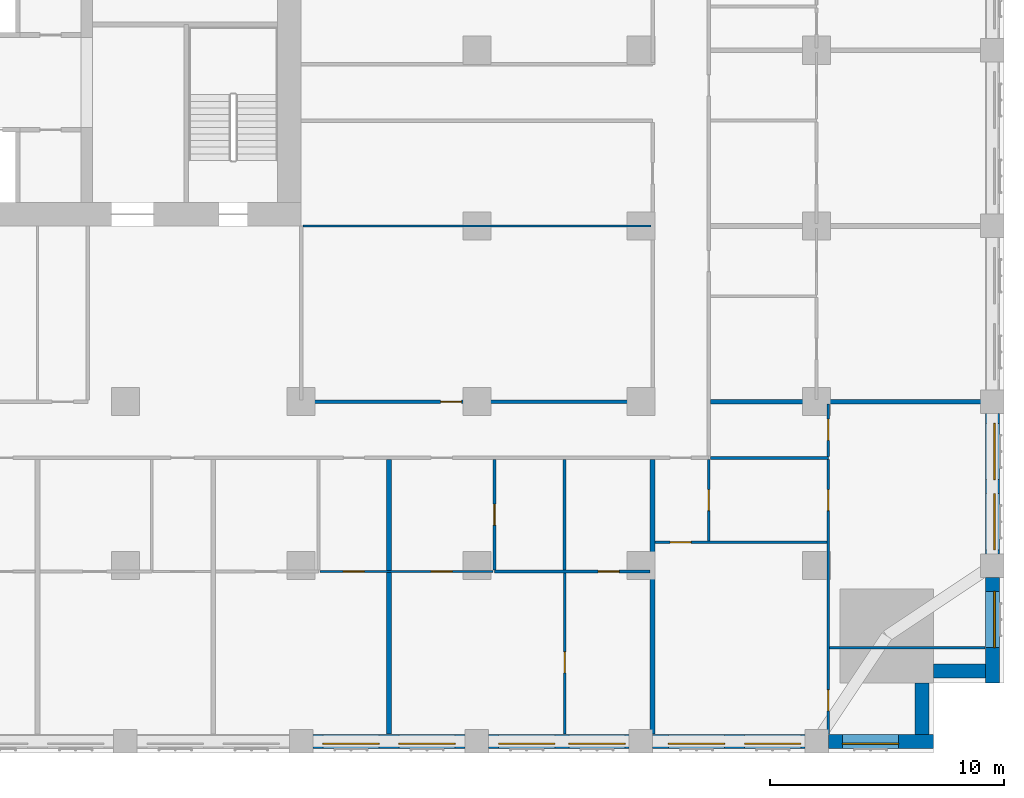
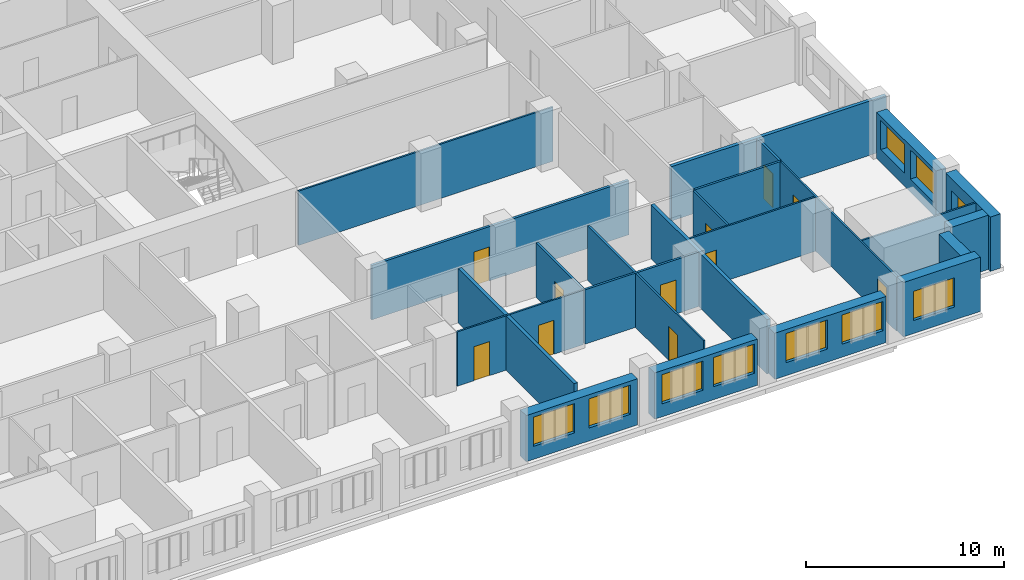
# One storey, part 6 of 14: 24 walls, 11 doors, 10 windows, 21 openings.
"""IFC4 building model written with IfcOpenShell, lengths in metres."""

from ifc_helpers import new_model, si_unit, direction, frame, frame_2d, origin, place, context, subcontext, project, spatial, rectangle, extrude, material, layer, layer_set, type_object, element, fill, save


model = new_model("IFC4")

# Units and contexts
model_context = context("Model", 3, precision=1e-05, world=origin(), true_north=direction((0.0, 1.0)))
body_context = subcontext(model_context, "Body", "Model", "MODEL_VIEW")
ifc_project = project(units=[si_unit("LENGTHUNIT", "METRE"), si_unit("AREAUNIT", "SQUARE_METRE"), si_unit("VOLUMEUNIT", "CUBIC_METRE"), si_unit("PLANEANGLEUNIT", "RADIAN"), si_unit("MASSUNIT", "GRAM", prefix="KILO")], contexts=[model_context])

# Site, building, storey
site_placement = place(None, origin())
site = spatial("IfcSite", under=ifc_project, at=site_placement, CompositionType="ELEMENT")
building_placement = place(site_placement, origin())
building = spatial("IfcBuilding", under=site, at=building_placement, Name="Tamorin Gate", CompositionType="ELEMENT")
storey_placement = place(building_placement, frame((0.0, 0.0, 52.0)))
storey = spatial("IfcBuildingStorey", under=building, at=storey_placement, Name="L11", CompositionType="ELEMENT", Elevation=52.0)

# Wall, openings, windows
ifc_material_1 = material(Name="Precast concrete C40/50", Category="concrete")
ifc_layer_1 = layer(ifc_material_1, 0.60009765625)
ifc_layer_set_1 = layer_set([ifc_layer_1], Name="Precast concrete C40/50")
wall_type_1 = type_object("IfcWallType", Name="Board-marked concrete facade panel 600", PredefinedType="SOLIDWALL", material=ifc_layer_set_1)
wall_1_placement = place(storey_placement, frame((60.5, 38.0, 0.0), z_axis=(0.0, 0.0, 1.0), x_axis=(1.0, 0.0, 0.0)))
wall_1 = element("IfcWall", 1, at=wall_1_placement, inside=storey, type_object=wall_type_1, Name="Facade panel", PredefinedType="SOLIDWALL", context=body_context, shape_type="SweptSolid", body=[
    extrude(rectangle(XDim=6.5, YDim=0.60009765625, at=frame_2d((3.25, 0.0))), origin(), (0.0, 0.0, 1.0), 2.85009765625),
])
opening_1_placement = place(wall_1_placement, frame((0.425048828125, 0.0, 0.800048828125)))
opening_1 = element("IfcOpeningElement", 2, at=opening_1_placement, cuts=wall_1, Name="Opening WN1", PredefinedType="OPENING", context=body_context, shape_type="SweptSolid", body=[
    extrude(rectangle(XDim=2.39990234375, YDim=1.800048828125, at=frame_2d((1.199951171875, 0.89990234375))), frame((0.0, 0.31005859375, 0.0), z_axis=(0.0, -1.0, 0.0), x_axis=(1.0, 0.0, 0.0)), (0.0, 0.0, 1.0), 0.6201171875),
])
opening_2_placement = place(wall_1_placement, frame((3.675048828125, 0.0, 0.800048828125)))
opening_2 = element("IfcOpeningElement", 3, at=opening_2_placement, cuts=wall_1, Name="Opening WN1", PredefinedType="OPENING", context=body_context, shape_type="SweptSolid", body=[
    extrude(rectangle(XDim=2.39990234375, YDim=1.800048828125, at=frame_2d((1.199951171875, 0.89990234375))), frame((0.0, 0.31005859375, 0.0), z_axis=(0.0, -1.0, 0.0), x_axis=(1.0, 0.0, 0.0)), (0.0, 0.0, 1.0), 0.6201171875),
])
ifc_material_2 = material(Name="Clear glass in aluminium frame", Category="aluminium")
window_type = type_object("IfcWindowType", Name="Deep-set window 2400x1800", PartitioningType="SINGLE_PANEL", PredefinedType="WINDOW", material=ifc_material_2)
window_1_placement = place(opening_1_placement, origin())
window_1 = element("IfcWindow", 4, at=window_1_placement, inside=storey, type_object=window_type, Name="Deep-set window", OverallHeight=1.800048828125, OverallWidth=2.39990234375, PartitioningType="SINGLE_PANEL", PredefinedType="WINDOW", context=body_context, shape_type="SweptSolid", body=[
    extrude(rectangle(XDim=2.39990234375, YDim=1.800048828125, at=frame_2d((1.199951171875, 0.89990234375))), frame((0.0, -0.070068359375, 0.0), z_axis=(0.0, -1.0, 0.0), x_axis=(1.0, 0.0, 0.0)), (0.0, 0.0, 1.0), 0.06005859375),
])
fill(opening_1, window_1)
window_2_placement = place(opening_2_placement, origin())
window_2 = element("IfcWindow", 5, at=window_2_placement, inside=storey, type_object=window_type, Name="Deep-set window", OverallHeight=1.800048828125, OverallWidth=2.39990234375, PartitioningType="SINGLE_PANEL", PredefinedType="WINDOW", context=body_context, shape_type="SweptSolid", body=[
    extrude(rectangle(XDim=2.39990234375, YDim=1.800048828125, at=frame_2d((1.199951171875, 0.89990234375))), frame((0.0, -0.070068359375, 0.0), z_axis=(0.0, -1.0, 0.0), x_axis=(1.0, 0.0, 0.0)), (0.0, 0.0, 1.0), 0.06005859375),
])
fill(opening_2, window_2)

wall_2_placement = place(storey_placement, frame((68.0, 38.0, 0.0), z_axis=(0.0, 0.0, 1.0), x_axis=(1.0, 0.0, 0.0)))
wall_2 = element("IfcWall", 6, at=wall_2_placement, inside=storey, type_object=wall_type_1, Name="Facade panel", PredefinedType="SOLIDWALL", context=body_context, shape_type="SweptSolid", body=[
    extrude(rectangle(XDim=6.0, YDim=0.60009765625, at=frame_2d((3.0, 0.0))), origin(), (0.0, 0.0, 1.0), 2.85009765625),
])
opening_3_placement = place(wall_2_placement, frame((0.425048828125, 0.0, 0.800048828125)))
opening_3 = element("IfcOpeningElement", 7, at=opening_3_placement, cuts=wall_2, Name="Opening WN1", PredefinedType="OPENING", context=body_context, shape_type="SweptSolid", body=[
    extrude(rectangle(XDim=2.39990234375, YDim=1.800048828125, at=frame_2d((1.199951171875, 0.89990234375))), frame((0.0, 0.31005859375, 0.0), z_axis=(0.0, -1.0, 0.0), x_axis=(1.0, 0.0, 0.0)), (0.0, 0.0, 1.0), 0.6201171875),
])
opening_4_placement = place(wall_2_placement, frame((3.425048828125, 0.0, 0.800048828125)))
opening_4 = element("IfcOpeningElement", 8, at=opening_4_placement, cuts=wall_2, Name="Opening WN1", PredefinedType="OPENING", context=body_context, shape_type="SweptSolid", body=[
    extrude(rectangle(XDim=2.39990234375, YDim=1.800048828125, at=frame_2d((1.199951171875, 0.89990234375))), frame((0.0, 0.31005859375, 0.0), z_axis=(0.0, -1.0, 0.0), x_axis=(1.0, 0.0, 0.0)), (0.0, 0.0, 1.0), 0.6201171875),
])
window_3_placement = place(opening_3_placement, origin())
window_3 = element("IfcWindow", 9, at=window_3_placement, inside=storey, type_object=window_type, Name="Deep-set window", OverallHeight=1.800048828125, OverallWidth=2.39990234375, PartitioningType="SINGLE_PANEL", PredefinedType="WINDOW", context=body_context, shape_type="SweptSolid", body=[
    extrude(rectangle(XDim=2.39990234375, YDim=1.800048828125, at=frame_2d((1.199951171875, 0.89990234375))), frame((0.0, -0.070068359375, 0.0), z_axis=(0.0, -1.0, 0.0), x_axis=(1.0, 0.0, 0.0)), (0.0, 0.0, 1.0), 0.06005859375),
])
fill(opening_3, window_3)
window_4_placement = place(opening_4_placement, origin())
window_4 = element("IfcWindow", 10, at=window_4_placement, inside=storey, type_object=window_type, Name="Deep-set window", OverallHeight=1.800048828125, OverallWidth=2.39990234375, PartitioningType="SINGLE_PANEL", PredefinedType="WINDOW", context=body_context, shape_type="SweptSolid", body=[
    extrude(rectangle(XDim=2.39990234375, YDim=1.800048828125, at=frame_2d((1.199951171875, 0.89990234375))), frame((0.0, -0.070068359375, 0.0), z_axis=(0.0, -1.0, 0.0), x_axis=(1.0, 0.0, 0.0)), (0.0, 0.0, 1.0), 0.06005859375),
])
fill(opening_4, window_4)

wall_3_placement = place(storey_placement, frame((75.0, 38.0, 0.0), z_axis=(0.0, 0.0, 1.0), x_axis=(1.0, 0.0, 0.0)))
wall_3 = element("IfcWall", 11, at=wall_3_placement, inside=storey, type_object=wall_type_1, Name="Facade panel", PredefinedType="SOLIDWALL", context=body_context, shape_type="SweptSolid", body=[
    extrude(rectangle(XDim=6.5, YDim=0.60009765625, at=frame_2d((3.25, 0.0))), origin(), (0.0, 0.0, 1.0), 2.85009765625),
])
opening_5_placement = place(wall_3_placement, frame((0.675048828125, 0.0, 0.800048828125)))
opening_5 = element("IfcOpeningElement", 12, at=opening_5_placement, cuts=wall_3, Name="Opening WN1", PredefinedType="OPENING", context=body_context, shape_type="SweptSolid", body=[
    extrude(rectangle(XDim=2.39990234375, YDim=1.800048828125, at=frame_2d((1.199951171875, 0.89990234375))), frame((0.0, 0.31005859375, 0.0), z_axis=(0.0, -1.0, 0.0), x_axis=(1.0, 0.0, 0.0)), (0.0, 0.0, 1.0), 0.6201171875),
])
opening_6_placement = place(wall_3_placement, frame((3.925048828125, 0.0, 0.800048828125)))
opening_6 = element("IfcOpeningElement", 13, at=opening_6_placement, cuts=wall_3, Name="Opening WN1", PredefinedType="OPENING", context=body_context, shape_type="SweptSolid", body=[
    extrude(rectangle(XDim=2.39990234375, YDim=1.800048828125, at=frame_2d((1.199951171875, 0.89990234375))), frame((0.0, 0.31005859375, 0.0), z_axis=(0.0, -1.0, 0.0), x_axis=(1.0, 0.0, 0.0)), (0.0, 0.0, 1.0), 0.6201171875),
])
window_5_placement = place(opening_5_placement, origin())
window_5 = element("IfcWindow", 14, at=window_5_placement, inside=storey, type_object=window_type, Name="Deep-set window", OverallHeight=1.800048828125, OverallWidth=2.39990234375, PartitioningType="SINGLE_PANEL", PredefinedType="WINDOW", context=body_context, shape_type="SweptSolid", body=[
    extrude(rectangle(XDim=2.39990234375, YDim=1.800048828125, at=frame_2d((1.199951171875, 0.89990234375))), frame((0.0, -0.070068359375, 0.0), z_axis=(0.0, -1.0, 0.0), x_axis=(1.0, 0.0, 0.0)), (0.0, 0.0, 1.0), 0.06005859375),
])
fill(opening_5, window_5)
window_6_placement = place(opening_6_placement, origin())
window_6 = element("IfcWindow", 15, at=window_6_placement, inside=storey, type_object=window_type, Name="Deep-set window", OverallHeight=1.800048828125, OverallWidth=2.39990234375, PartitioningType="SINGLE_PANEL", PredefinedType="WINDOW", context=body_context, shape_type="SweptSolid", body=[
    extrude(rectangle(XDim=2.39990234375, YDim=1.800048828125, at=frame_2d((1.199951171875, 0.89990234375))), frame((0.0, -0.070068359375, 0.0), z_axis=(0.0, -1.0, 0.0), x_axis=(1.0, 0.0, 0.0)), (0.0, 0.0, 1.0), 0.06005859375),
])
fill(opening_6, window_6)

# Wall, opening, window
wall_4_placement = place(storey_placement, frame((82.5, 38.0, 0.0), z_axis=(0.0, 0.0, 1.0), x_axis=(1.0, 0.0, 0.0)))
wall_4 = element("IfcWall", 16, at=wall_4_placement, inside=storey, type_object=wall_type_1, Name="Facade panel", PredefinedType="SOLIDWALL", context=body_context, shape_type="SweptSolid", body=[
    extrude(rectangle(XDim=4.5, YDim=0.60009765625, at=frame_2d((2.25, 0.0))), origin(), (0.0, 0.0, 1.0), 3.35009765625),
])
opening_7_placement = place(wall_4_placement, frame((0.60009765625, 0.0, 0.800048828125)))
opening_7 = element("IfcOpeningElement", 17, at=opening_7_placement, cuts=wall_4, Name="Opening WN1", PredefinedType="OPENING", context=body_context, shape_type="SweptSolid", body=[
    extrude(rectangle(XDim=2.39990234375, YDim=1.800048828125, at=frame_2d((1.199951171875, 0.89990234375))), frame((0.0, 0.31005859375, 0.0), z_axis=(0.0, -1.0, 0.0), x_axis=(1.0, 0.0, 0.0)), (0.0, 0.0, 1.0), 0.6201171875),
])
window_7_placement = place(opening_7_placement, origin())
window_7 = element("IfcWindow", 18, at=window_7_placement, inside=storey, type_object=window_type, Name="Deep-set window", OverallHeight=1.800048828125, OverallWidth=2.39990234375, PartitioningType="SINGLE_PANEL", PredefinedType="WINDOW", context=body_context, shape_type="SweptSolid", body=[
    extrude(rectangle(XDim=2.39990234375, YDim=1.800048828125, at=frame_2d((1.199951171875, 0.89990234375))), frame((0.0, -0.070068359375, 0.0), z_axis=(0.0, -1.0, 0.0), x_axis=(1.0, 0.0, 0.0)), (0.0, 0.0, 1.0), 0.06005859375),
])
fill(opening_7, window_7)

# Walls
for number, where, z_axis, x_axis, name in (
    (19, (86.5, 38.300048828125, 0.0), (0.0, 0.0, 1.0), (0.0, 1.0, 0.0), "Facade panel"),
    (20, (87.0, 41.0, 0.0), (0.0, 0.0, 1.0), (1.0, 0.0, 0.0), "Facade panel"),
):
    element("IfcWall", number, at=place(storey_placement, frame(where, z_axis=z_axis, x_axis=x_axis)), inside=storey, type_object=wall_type_1, Name=name, PredefinedType="SOLIDWALL", context=body_context, shape_type="SweptSolid", body=[
        extrude(rectangle(XDim=2.199951171875, YDim=0.60009765625, at=frame_2d((1.10009765625, 0.0))), origin(), (0.0, 0.0, 1.0), 3.35009765625),
    ])

# Wall, opening, window
wall_5_placement = place(storey_placement, frame((89.5, 40.5, 0.0), z_axis=(0.0, 0.0, 1.0), x_axis=(0.0, 1.0, 0.0)))
wall_5 = element("IfcWall", 21, at=wall_5_placement, inside=storey, type_object=wall_type_1, Name="Facade panel", PredefinedType="SOLIDWALL", context=body_context, shape_type="SweptSolid", body=[
    extrude(rectangle(XDim=4.5, YDim=0.60009765625, at=frame_2d((2.25, 0.0))), origin(), (0.0, 0.0, 1.0), 3.35009765625),
])
opening_8_placement = place(wall_5_placement, frame((1.5, 0.0, 0.800048828125)))
opening_8 = element("IfcOpeningElement", 22, at=opening_8_placement, cuts=wall_5, Name="Opening WN1", PredefinedType="OPENING", context=body_context, shape_type="SweptSolid", body=[
    extrude(rectangle(XDim=2.39990234375, YDim=1.800048828125, at=frame_2d((1.199951171875, 0.89990234375))), frame((0.0, 0.31005859375, 0.0), z_axis=(0.0, -1.0, 0.0), x_axis=(1.0, 0.0, 0.0)), (0.0, 0.0, 1.0), 0.6201171875),
])
window_8_placement = place(opening_8_placement, origin())
window_8 = element("IfcWindow", 23, at=window_8_placement, inside=storey, type_object=window_type, Name="Deep-set window", OverallHeight=1.800048828125, OverallWidth=2.39990234375, PartitioningType="SINGLE_PANEL", PredefinedType="WINDOW", context=body_context, shape_type="SweptSolid", body=[
    extrude(rectangle(XDim=2.39990234375, YDim=1.800048828125, at=frame_2d((1.199951171875, 0.89990234375))), frame((0.0, -0.070068359375, 0.0), z_axis=(0.0, -1.0, 0.0), x_axis=(1.0, 0.0, 0.0)), (0.0, 0.0, 1.0), 0.06005859375),
])
fill(opening_8, window_8)

# Wall, openings, windows
wall_6_placement = place(storey_placement, frame((89.5, 46.0, 0.0), z_axis=(0.0, 0.0, 1.0), x_axis=(0.0, 1.0, 0.0)))
wall_6 = element("IfcWall", 24, at=wall_6_placement, inside=storey, type_object=wall_type_1, Name="Facade panel", PredefinedType="SOLIDWALL", context=body_context, shape_type="SweptSolid", body=[
    extrude(rectangle(XDim=6.0, YDim=0.60009765625, at=frame_2d((3.0, 0.0))), origin(), (0.0, 0.0, 1.0), 2.85009765625),
])
opening_9_placement = place(wall_6_placement, frame((0.175048828125, 0.0, 0.800048828125)))
opening_9 = element("IfcOpeningElement", 25, at=opening_9_placement, cuts=wall_6, Name="Opening WN1", PredefinedType="OPENING", context=body_context, shape_type="SweptSolid", body=[
    extrude(rectangle(XDim=2.39990234375, YDim=1.800048828125, at=frame_2d((1.199951171875, 0.89990234375))), frame((0.0, 0.31005859375, 0.0), z_axis=(0.0, -1.0, 0.0), x_axis=(1.0, 0.0, 0.0)), (0.0, 0.0, 1.0), 0.6201171875),
])
opening_10_placement = place(wall_6_placement, frame((3.175048828125, 0.0, 0.800048828125)))
opening_10 = element("IfcOpeningElement", 26, at=opening_10_placement, cuts=wall_6, Name="Opening WN1", PredefinedType="OPENING", context=body_context, shape_type="SweptSolid", body=[
    extrude(rectangle(XDim=2.39990234375, YDim=1.800048828125, at=frame_2d((1.199951171875, 0.89990234375))), frame((0.0, 0.31005859375, 0.0), z_axis=(0.0, -1.0, 0.0), x_axis=(1.0, 0.0, 0.0)), (0.0, 0.0, 1.0), 0.6201171875),
])
window_9_placement = place(opening_9_placement, origin())
window_9 = element("IfcWindow", 27, at=window_9_placement, inside=storey, type_object=window_type, Name="Deep-set window", OverallHeight=1.800048828125, OverallWidth=2.39990234375, PartitioningType="SINGLE_PANEL", PredefinedType="WINDOW", context=body_context, shape_type="SweptSolid", body=[
    extrude(rectangle(XDim=2.39990234375, YDim=1.800048828125, at=frame_2d((1.199951171875, 0.89990234375))), frame((0.0, -0.070068359375, 0.0), z_axis=(0.0, -1.0, 0.0), x_axis=(1.0, 0.0, 0.0)), (0.0, 0.0, 1.0), 0.06005859375),
])
fill(opening_9, window_9)
window_10_placement = place(opening_10_placement, origin())
window_10 = element("IfcWindow", 28, at=window_10_placement, inside=storey, type_object=window_type, Name="Deep-set window", OverallHeight=1.800048828125, OverallWidth=2.39990234375, PartitioningType="SINGLE_PANEL", PredefinedType="WINDOW", context=body_context, shape_type="SweptSolid", body=[
    extrude(rectangle(XDim=2.39990234375, YDim=1.800048828125, at=frame_2d((1.199951171875, 0.89990234375))), frame((0.0, -0.070068359375, 0.0), z_axis=(0.0, -1.0, 0.0), x_axis=(1.0, 0.0, 0.0)), (0.0, 0.0, 1.0), 0.06005859375),
])
fill(opening_10, window_10)

# Wall, opening, door
ifc_material_3 = material(Name="Gypsum board partition")
ifc_layer_2 = layer(ifc_material_3, 0.14990234375)
ifc_layer_set_2 = layer_set([ifc_layer_2], Name="Corridor wall 150")
wall_type_2 = type_object("IfcWallType", Name="Corridor wall 150", PredefinedType="PARTITIONING", material=ifc_layer_set_2)
wall_7_placement = place(storey_placement, frame((60.0, 52.5, 0.0), z_axis=(0.0, 0.0, 1.0), x_axis=(1.0, 0.0, 0.0)))
wall_7 = element("IfcWall", 29, at=wall_7_placement, inside=storey, type_object=wall_type_2, Name="Corridor wall 150", PredefinedType="PARTITIONING", context=body_context, shape_type="SweptSolid", body=[
    extrude(rectangle(XDim=15.0, YDim=0.14990234375, at=frame_2d((7.5, 0.0))), origin(), (0.0, 0.0, 1.0), 3.35009765625),
])
opening_11_placement = place(wall_7_placement, frame((5.949951171875, 0.0, 0.0)))
opening_11 = element("IfcOpeningElement", 30, at=opening_11_placement, cuts=wall_7, Name="Opening DH2069", PredefinedType="OPENING", context=body_context, shape_type="SweptSolid", body=[
    extrude(rectangle(XDim=0.89990234375, YDim=2.10009765625, at=frame_2d((0.449951171875, 1.050048828125))), frame((0.0, 0.0849609375, 0.0), z_axis=(0.0, -1.0, 0.0), x_axis=(1.0, 0.0, 0.0)), (0.0, 0.0, 1.0), 0.169921875),
])
ifc_material_4 = material(Name="Timber door leaf", Category="wood")
door_type_1 = type_object("IfcDoorType", Name="Door 900 x 2100 FD30S", OperationType="NOTDEFINED", PredefinedType="DOOR", material=ifc_material_4)
door_1_placement = place(opening_11_placement, origin())
door_1 = element("IfcDoor", 31, at=door_1_placement, inside=storey, type_object=door_type_1, Name="Door DH2069", OperationType="SINGLE_SWING_LEFT", OverallHeight=2.10009765625, OverallWidth=0.89990234375, PredefinedType="DOOR", context=body_context, shape_type="SweptSolid", body=[
    extrude(rectangle(XDim=0.89990234375, YDim=2.10009765625, at=frame_2d((0.449951171875, 1.050048828125))), frame((0.0, 0.02490234375, 0.0), z_axis=(0.0, -1.0, 0.0), x_axis=(1.0, 0.0, 0.0)), (0.0, 0.0, 1.0), 0.050048828125),
])
fill(opening_11, door_1)

# Walls
ifc_layer_3 = layer(ifc_material_3, 0.199951171875)
ifc_layer_set_3 = layer_set([ifc_layer_3], Name="Demising wall 200")
wall_type_3 = type_object("IfcWallType", Name="Demising wall 200", PredefinedType="PARTITIONING", material=ifc_layer_set_3)
wall_8_placement = place(storey_placement, frame((77.47509765625, 52.5, 0.0), z_axis=(0.0, 0.0, 1.0), x_axis=(1.0, 0.0, 0.0)))
element("IfcWall", 32, at=wall_8_placement, inside=storey, type_object=wall_type_3, Name="Demising wall 200", PredefinedType="PARTITIONING", context=body_context, shape_type="SweptSolid", body=[
    extrude(rectangle(XDim=12.52490234375, YDim=0.199951171875, at=frame_2d((6.262451171875, 0.0))), origin(), (0.0, 0.0, 1.0), 3.35009765625),
])
for number, where, z_axis, x_axis, name in (
    (33, (63.75, 38.31005859375, 0.0), (0.0, 0.0, 1.0), (0.0, 1.0, 0.0), "Demising wall 200"),
    (34, (75.0, 38.31005859375, 0.0), (0.0, 0.0, 1.0), (0.0, 1.0, 0.0), "Demising wall 200"),
):
    element("IfcWall", number, at=place(storey_placement, frame(where, z_axis=z_axis, x_axis=x_axis)), inside=storey, type_object=wall_type_3, Name=name, PredefinedType="PARTITIONING", context=body_context, shape_type="SweptSolid", body=[
        extrude(rectangle(XDim=11.71484375, YDim=0.199951171875, at=frame_2d((5.857421875, 0.0))), origin(), (0.0, 0.0, 1.0), 3.35009765625),
    ])
ifc_layer_4 = layer(ifc_material_3, 0.10009765625)
ifc_layer_set_4 = layer_set([ifc_layer_4], Name="Room partition 100")
wall_type_4 = type_object("IfcWallType", Name="Room partition 100", PredefinedType="PARTITIONING", material=ifc_layer_set_4)
wall_9_placement = place(storey_placement, frame((82.550048828125, 42.0, 0.0), z_axis=(0.0, 0.0, 1.0), x_axis=(1.0, 0.0, 0.0)))
element("IfcWall", 35, at=wall_9_placement, inside=storey, type_object=wall_type_4, Name="Room partition 100", PredefinedType="PARTITIONING", context=body_context, shape_type="SweptSolid", body=[
    extrude(rectangle(XDim=6.639892578125, YDim=0.10009765625, at=frame_2d((3.31982421875, 0.0))), origin(), (0.0, 0.0, 1.0), 3.35009765625),
])

# Wall, openings, doors
wall_10_placement = place(storey_placement, frame((60.8125, 45.25, 0.0), z_axis=(0.0, 0.0, 1.0), x_axis=(1.0, 0.0, 0.0)))
wall_10 = element("IfcWall", 36, at=wall_10_placement, inside=storey, type_object=wall_type_4, Name="Room partition 100", PredefinedType="PARTITIONING", context=body_context, shape_type="SweptSolid", body=[
    extrude(rectangle(XDim=7.375, YDim=0.10009765625, at=frame_2d((3.6875, 0.0))), origin(), (0.0, 0.0, 1.0), 3.35009765625),
])
opening_12_placement = place(wall_10_placement, frame((0.987548828125, 0.0, 0.0)))
opening_12 = element("IfcOpeningElement", 37, at=opening_12_placement, cuts=wall_10, Name="Opening DH2013", PredefinedType="OPENING", context=body_context, shape_type="SweptSolid", body=[
    extrude(rectangle(XDim=0.89990234375, YDim=2.10009765625, at=frame_2d((0.449951171875, 1.050048828125))), frame((0.0, 0.06005859375, 0.0), z_axis=(0.0, -1.0, 0.0), x_axis=(1.0, 0.0, 0.0)), (0.0, 0.0, 1.0), 0.1201171875),
])
opening_13_placement = place(wall_10_placement, frame((4.737548828125, 0.0, 0.0)))
opening_13 = element("IfcOpeningElement", 38, at=opening_13_placement, cuts=wall_10, Name="Opening DH2015", PredefinedType="OPENING", context=body_context, shape_type="SweptSolid", body=[
    extrude(rectangle(XDim=0.89990234375, YDim=2.10009765625, at=frame_2d((0.449951171875, 1.050048828125))), frame((0.0, 0.06005859375, 0.0), z_axis=(0.0, -1.0, 0.0), x_axis=(1.0, 0.0, 0.0)), (0.0, 0.0, 1.0), 0.1201171875),
])
door_type_2 = type_object("IfcDoorType", Name="Door 900 x 2100", OperationType="NOTDEFINED", PredefinedType="DOOR", material=ifc_material_4)
door_2_placement = place(opening_12_placement, origin())
door_2 = element("IfcDoor", 39, at=door_2_placement, inside=storey, type_object=door_type_2, Name="Door DH2013", OperationType="SINGLE_SWING_LEFT", OverallHeight=2.10009765625, OverallWidth=0.89990234375, PredefinedType="DOOR", context=body_context, shape_type="SweptSolid", body=[
    extrude(rectangle(XDim=0.89990234375, YDim=2.10009765625, at=frame_2d((0.449951171875, 1.050048828125))), frame((0.0, 0.02490234375, 0.0), z_axis=(0.0, -1.0, 0.0), x_axis=(1.0, 0.0, 0.0)), (0.0, 0.0, 1.0), 0.050048828125),
])
fill(opening_12, door_2)
door_3_placement = place(opening_13_placement, origin())
door_3 = element("IfcDoor", 40, at=door_3_placement, inside=storey, type_object=door_type_2, Name="Door DH2015", OperationType="SINGLE_SWING_LEFT", OverallHeight=2.10009765625, OverallWidth=0.89990234375, PredefinedType="DOOR", context=body_context, shape_type="SweptSolid", body=[
    extrude(rectangle(XDim=0.89990234375, YDim=2.10009765625, at=frame_2d((0.449951171875, 1.050048828125))), frame((0.0, 0.02490234375, 0.0), z_axis=(0.0, -1.0, 0.0), x_axis=(1.0, 0.0, 0.0)), (0.0, 0.0, 1.0), 0.050048828125),
])
fill(opening_13, door_3)

# Wall, opening, door
wall_11_placement = place(storey_placement, frame((75.10009765625, 46.5, 0.0), z_axis=(0.0, 0.0, 1.0), x_axis=(1.0, 0.0, 0.0)))
wall_11 = element("IfcWall", 41, at=wall_11_placement, inside=storey, type_object=wall_type_4, Name="Room partition 100", PredefinedType="PARTITIONING", context=body_context, shape_type="SweptSolid", body=[
    extrude(rectangle(XDim=7.349853515625, YDim=0.10009765625, at=frame_2d((3.6748046875, 0.0))), origin(), (0.0, 0.0, 1.0), 3.35009765625),
])
opening_14_placement = place(wall_11_placement, frame((0.64990234375, 0.0, 0.0)))
opening_14 = element("IfcOpeningElement", 42, at=opening_14_placement, cuts=wall_11, Name="Opening DH2056", PredefinedType="OPENING", context=body_context, shape_type="SweptSolid", body=[
    extrude(rectangle(XDim=0.89990234375, YDim=2.10009765625, at=frame_2d((0.449951171875, 1.050048828125))), frame((0.0, 0.06005859375, 0.0), z_axis=(0.0, -1.0, 0.0), x_axis=(1.0, 0.0, 0.0)), (0.0, 0.0, 1.0), 0.1201171875),
])
door_4_placement = place(opening_14_placement, origin())
door_4 = element("IfcDoor", 43, at=door_4_placement, inside=storey, type_object=door_type_2, Name="Door DH2056", OperationType="SINGLE_SWING_RIGHT", OverallHeight=2.10009765625, OverallWidth=0.89990234375, PredefinedType="DOOR", context=body_context, shape_type="SweptSolid", body=[
    extrude(rectangle(XDim=0.89990234375, YDim=2.10009765625, at=frame_2d((0.449951171875, 1.050048828125))), frame((0.0, 0.02490234375, 0.0), z_axis=(0.0, -1.0, 0.0), x_axis=(1.0, 0.0, 0.0)), (0.0, 0.0, 1.0), 0.050048828125),
])
fill(opening_14, door_4)

# Wall
wall_12_placement = place(storey_placement, frame((60.074951171875, 60.0, 0.0), z_axis=(0.0, 0.0, 1.0), x_axis=(1.0, 0.0, 0.0)))
element("IfcWall", 44, at=wall_12_placement, inside=storey, type_object=wall_type_4, Name="Room partition 100", PredefinedType="PARTITIONING", context=body_context, shape_type="SweptSolid", body=[
    extrude(rectangle(XDim=14.85009765625, YDim=0.10009765625, at=frame_2d((7.425048828125, 0.0))), origin(), (0.0, 0.0, 1.0), 3.35009765625),
])

# Wall, opening, door
wall_13_placement = place(storey_placement, frame((71.25, 38.31005859375, 0.0), z_axis=(0.0, 0.0, 1.0), x_axis=(0.0, 1.0, 0.0)))
wall_13 = element("IfcWall", 45, at=wall_13_placement, inside=storey, type_object=wall_type_4, Name="Room partition 100", PredefinedType="PARTITIONING", context=body_context, shape_type="SweptSolid", body=[
    extrude(rectangle(XDim=6.87744140625, YDim=0.10009765625, at=frame_2d((3.438720703125, 0.0))), origin(), (0.0, 0.0, 1.0), 3.35009765625),
])
opening_15_placement = place(wall_13_placement, frame((2.614990234375, 0.0, 0.0)))
opening_15 = element("IfcOpeningElement", 46, at=opening_15_placement, cuts=wall_13, Name="Opening DH2018", PredefinedType="OPENING", context=body_context, shape_type="SweptSolid", body=[
    extrude(rectangle(XDim=0.89990234375, YDim=2.10009765625, at=frame_2d((0.449951171875, 1.050048828125))), frame((0.0, 0.06005859375, 0.0), z_axis=(0.0, -1.0, 0.0), x_axis=(1.0, 0.0, 0.0)), (0.0, 0.0, 1.0), 0.1201171875),
])
door_5_placement = place(opening_15_placement, origin())
door_5 = element("IfcDoor", 47, at=door_5_placement, inside=storey, type_object=door_type_2, Name="Door DH2018", OperationType="SINGLE_SWING_LEFT", OverallHeight=2.10009765625, OverallWidth=0.89990234375, PredefinedType="DOOR", context=body_context, shape_type="SweptSolid", body=[
    extrude(rectangle(XDim=0.89990234375, YDim=2.10009765625, at=frame_2d((0.449951171875, 1.050048828125))), frame((0.0, 0.02490234375, 0.0), z_axis=(0.0, -1.0, 0.0), x_axis=(1.0, 0.0, 0.0)), (0.0, 0.0, 1.0), 0.050048828125),
])
fill(opening_15, door_5)

wall_14_placement = place(storey_placement, frame((77.39990234375, 46.550048828125, 0.0), z_axis=(0.0, 0.0, 1.0), x_axis=(0.0, 1.0, 0.0)))
wall_14 = element("IfcWall", 48, at=wall_14_placement, inside=storey, type_object=wall_type_4, Name="Room partition 100", PredefinedType="PARTITIONING", context=body_context, shape_type="SweptSolid", body=[
    extrude(rectangle(XDim=3.474853515625, YDim=0.10009765625, at=frame_2d((1.7373046875, 0.0))), origin(), (0.0, 0.0, 1.0), 3.35009765625),
])
opening_16_placement = place(wall_14_placement, frame((1.300048828125, 0.0, 0.0)))
opening_16 = element("IfcOpeningElement", 49, at=opening_16_placement, cuts=wall_14, Name="Opening DH2057", PredefinedType="OPENING", context=body_context, shape_type="SweptSolid", body=[
    extrude(rectangle(XDim=0.89990234375, YDim=2.10009765625, at=frame_2d((0.449951171875, 1.050048828125))), frame((0.0, 0.06005859375, 0.0), z_axis=(0.0, -1.0, 0.0), x_axis=(1.0, 0.0, 0.0)), (0.0, 0.0, 1.0), 0.1201171875),
])
door_6_placement = place(opening_16_placement, origin())
door_6 = element("IfcDoor", 50, at=door_6_placement, inside=storey, type_object=door_type_2, Name="Door DH2057", OperationType="SINGLE_SWING_RIGHT", OverallHeight=2.10009765625, OverallWidth=0.89990234375, PredefinedType="DOOR", context=body_context, shape_type="SweptSolid", body=[
    extrude(rectangle(XDim=0.89990234375, YDim=2.10009765625, at=frame_2d((0.449951171875, 1.050048828125))), frame((0.0, 0.02490234375, 0.0), z_axis=(0.0, -1.0, 0.0), x_axis=(1.0, 0.0, 0.0)), (0.0, 0.0, 1.0), 0.050048828125),
])
fill(opening_16, door_6)

# Wall, openings, doors
wall_15_placement = place(storey_placement, frame((82.5, 38.31005859375, 0.0), z_axis=(0.0, 0.0, 1.0), x_axis=(0.0, 1.0, 0.0)))
wall_15 = element("IfcWall", 51, at=wall_15_placement, inside=storey, type_object=wall_type_4, Name="Room partition 100", PredefinedType="PARTITIONING", context=body_context, shape_type="SweptSolid", body=[
    extrude(rectangle(XDim=11.7275390625, YDim=0.10009765625, at=frame_2d((5.86376953125, 0.0))), origin(), (0.0, 0.0, 1.0), 3.35009765625),
])
opening_17_placement = place(wall_15_placement, frame((0.989990234375, 0.0, 0.0)))
opening_17 = element("IfcOpeningElement", 52, at=opening_17_placement, cuts=wall_15, Name="Opening DH2058", PredefinedType="OPENING", context=body_context, shape_type="SweptSolid", body=[
    extrude(rectangle(XDim=0.89990234375, YDim=2.10009765625, at=frame_2d((0.449951171875, 1.050048828125))), frame((0.0, 0.06005859375, 0.0), z_axis=(0.0, -1.0, 0.0), x_axis=(1.0, 0.0, 0.0)), (0.0, 0.0, 1.0), 0.1201171875),
])
opening_18_placement = place(wall_15_placement, frame((9.5400390625, 0.0, 0.0)))
opening_18 = element("IfcOpeningElement", 53, at=opening_18_placement, cuts=wall_15, Name="Opening DH2059", PredefinedType="OPENING", context=body_context, shape_type="SweptSolid", body=[
    extrude(rectangle(XDim=0.89990234375, YDim=2.10009765625, at=frame_2d((0.449951171875, 1.050048828125))), frame((0.0, 0.06005859375, 0.0), z_axis=(0.0, -1.0, 0.0), x_axis=(1.0, 0.0, 0.0)), (0.0, 0.0, 1.0), 0.1201171875),
])
door_7_placement = place(opening_17_placement, origin())
door_7 = element("IfcDoor", 54, at=door_7_placement, inside=storey, type_object=door_type_2, Name="Door DH2058", OperationType="SINGLE_SWING_LEFT", OverallHeight=2.10009765625, OverallWidth=0.89990234375, PredefinedType="DOOR", context=body_context, shape_type="SweptSolid", body=[
    extrude(rectangle(XDim=0.89990234375, YDim=2.10009765625, at=frame_2d((0.449951171875, 1.050048828125))), frame((0.0, 0.02490234375, 0.0), z_axis=(0.0, -1.0, 0.0), x_axis=(1.0, 0.0, 0.0)), (0.0, 0.0, 1.0), 0.050048828125),
])
fill(opening_17, door_7)
door_8_placement = place(opening_18_placement, origin())
door_8 = element("IfcDoor", 55, at=door_8_placement, inside=storey, type_object=door_type_2, Name="Door DH2059", OperationType="SINGLE_SWING_RIGHT", OverallHeight=2.10009765625, OverallWidth=0.89990234375, PredefinedType="DOOR", context=body_context, shape_type="SweptSolid", body=[
    extrude(rectangle(XDim=0.89990234375, YDim=2.10009765625, at=frame_2d((0.449951171875, 1.050048828125))), frame((0.0, 0.02490234375, 0.0), z_axis=(0.0, -1.0, 0.0), x_axis=(1.0, 0.0, 0.0)), (0.0, 0.0, 1.0), 0.050048828125),
])
fill(opening_18, door_8)

# Wall, opening, door
ifc_layer_5 = layer(ifc_material_3, 0.125)
ifc_layer_set_5 = layer_set([ifc_layer_5], Name="Wet wall 125")
wall_type_5 = type_object("IfcWallType", Name="Wet wall 125", PredefinedType="PARTITIONING", material=ifc_layer_set_5)
wall_16_placement = place(storey_placement, frame((68.25, 45.25, 0.0), z_axis=(0.0, 0.0, 1.0), x_axis=(1.0, 0.0, 0.0)))
wall_16 = element("IfcWall", 56, at=wall_16_placement, inside=storey, type_object=wall_type_5, Name="Wet wall 125", PredefinedType="PARTITIONING", context=body_context, shape_type="SweptSolid", body=[
    extrude(rectangle(XDim=6.64990234375, YDim=0.125, at=frame_2d((3.324951171875, 0.0))), origin(), (0.0, 0.0, 1.0), 3.35009765625),
])
opening_19_placement = place(wall_16_placement, frame((4.425048828125, 0.0, 0.0)))
opening_19 = element("IfcOpeningElement", 57, at=opening_19_placement, cuts=wall_16, Name="Opening DH2017", PredefinedType="OPENING", context=body_context, shape_type="SweptSolid", body=[
    extrude(rectangle(XDim=0.89990234375, YDim=2.10009765625, at=frame_2d((0.449951171875, 1.050048828125))), frame((0.0, 0.072509765625, 0.0), z_axis=(0.0, -1.0, 0.0), x_axis=(1.0, 0.0, 0.0)), (0.0, 0.0, 1.0), 0.14501953125),
])
door_9_placement = place(opening_19_placement, origin())
door_9 = element("IfcDoor", 58, at=door_9_placement, inside=storey, type_object=door_type_2, Name="Door DH2017", OperationType="SINGLE_SWING_LEFT", OverallHeight=2.10009765625, OverallWidth=0.89990234375, PredefinedType="DOOR", context=body_context, shape_type="SweptSolid", body=[
    extrude(rectangle(XDim=0.89990234375, YDim=2.10009765625, at=frame_2d((0.449951171875, 1.050048828125))), frame((0.0, 0.02490234375, 0.0), z_axis=(0.0, -1.0, 0.0), x_axis=(1.0, 0.0, 0.0)), (0.0, 0.0, 1.0), 0.050048828125),
])
fill(opening_19, door_9)

# Wall
wall_17_placement = place(storey_placement, frame((77.47509765625, 50.10009765625, 0.0), z_axis=(0.0, 0.0, 1.0), x_axis=(1.0, 0.0, 0.0)))
element("IfcWall", 59, at=wall_17_placement, inside=storey, type_object=wall_type_5, Name="Wet wall 125", PredefinedType="PARTITIONING", context=body_context, shape_type="SweptSolid", body=[
    extrude(rectangle(XDim=5.02490234375, YDim=0.125, at=frame_2d((2.512451171875, 0.0))), origin(), (0.0, 0.0, 1.0), 3.35009765625),
])

# Wall, opening, door
wall_18_placement = place(storey_placement, frame((68.25, 45.3125, 0.0), z_axis=(0.0, 0.0, 1.0), x_axis=(0.0, 1.0, 0.0)))
wall_18 = element("IfcWall", 60, at=wall_18_placement, inside=storey, type_object=wall_type_5, Name="Wet wall 125", PredefinedType="PARTITIONING", context=body_context, shape_type="SweptSolid", body=[
    extrude(rectangle(XDim=4.71240234375, YDim=0.125, at=frame_2d((2.356201171875, 0.0))), origin(), (0.0, 0.0, 1.0), 3.35009765625),
])
opening_20_placement = place(wall_18_placement, frame((1.91259765625, 0.0, 0.0)))
opening_20 = element("IfcOpeningElement", 61, at=opening_20_placement, cuts=wall_18, Name="Opening DH2016", PredefinedType="OPENING", context=body_context, shape_type="SweptSolid", body=[
    extrude(rectangle(XDim=0.89990234375, YDim=2.10009765625, at=frame_2d((0.449951171875, 1.050048828125))), frame((0.0, 0.072509765625, 0.0), z_axis=(0.0, -1.0, 0.0), x_axis=(1.0, 0.0, 0.0)), (0.0, 0.0, 1.0), 0.14501953125),
])
door_10_placement = place(opening_20_placement, origin())
door_10 = element("IfcDoor", 62, at=door_10_placement, inside=storey, type_object=door_type_2, Name="Door DH2016", OperationType="SINGLE_SWING_LEFT", OverallHeight=2.10009765625, OverallWidth=0.89990234375, PredefinedType="DOOR", context=body_context, shape_type="SweptSolid", body=[
    extrude(rectangle(XDim=0.89990234375, YDim=2.10009765625, at=frame_2d((0.449951171875, 1.050048828125))), frame((0.0, 0.02490234375, 0.0), z_axis=(0.0, -1.0, 0.0), x_axis=(1.0, 0.0, 0.0)), (0.0, 0.0, 1.0), 0.050048828125),
])
fill(opening_20, door_10)

# Wall
wall_19_placement = place(storey_placement, frame((71.25, 45.3125, 0.0), z_axis=(0.0, 0.0, 1.0), x_axis=(0.0, 1.0, 0.0)))
element("IfcWall", 63, at=wall_19_placement, inside=storey, type_object=wall_type_5, Name="Wet wall 125", PredefinedType="PARTITIONING", context=body_context, shape_type="SweptSolid", body=[
    extrude(rectangle(XDim=4.71240234375, YDim=0.125, at=frame_2d((2.356201171875, 0.0))), origin(), (0.0, 0.0, 1.0), 3.35009765625),
])

# Wall, opening, door
wall_20_placement = place(storey_placement, frame((82.5, 50.16259765625, 0.0), z_axis=(0.0, 0.0, 1.0), x_axis=(0.0, 1.0, 0.0)))
wall_20 = element("IfcWall", 64, at=wall_20_placement, inside=storey, type_object=wall_type_5, Name="Wet wall 125", PredefinedType="PARTITIONING", context=body_context, shape_type="SweptSolid", body=[
    extrude(rectangle(XDim=2.2373046875, YDim=0.125, at=frame_2d((1.11865234375, 0.0))), origin(), (0.0, 0.0, 1.0), 3.35009765625),
])
opening_21_placement = place(wall_20_placement, frame((0.6875, 0.0, 0.0)))
opening_21 = element("IfcOpeningElement", 65, at=opening_21_placement, cuts=wall_20, Name="Opening DH2060", PredefinedType="OPENING", context=body_context, shape_type="SweptSolid", body=[
    extrude(rectangle(XDim=0.89990234375, YDim=2.10009765625, at=frame_2d((0.449951171875, 1.050048828125))), frame((0.0, 0.072509765625, 0.0), z_axis=(0.0, -1.0, 0.0), x_axis=(1.0, 0.0, 0.0)), (0.0, 0.0, 1.0), 0.14501953125),
])
door_11_placement = place(opening_21_placement, origin())
door_11 = element("IfcDoor", 66, at=door_11_placement, inside=storey, type_object=door_type_2, Name="Door DH2060", OperationType="SINGLE_SWING_LEFT", OverallHeight=2.10009765625, OverallWidth=0.89990234375, PredefinedType="DOOR", context=body_context, shape_type="SweptSolid", body=[
    extrude(rectangle(XDim=0.89990234375, YDim=2.10009765625, at=frame_2d((0.449951171875, 1.050048828125))), frame((0.0, 0.02490234375, 0.0), z_axis=(0.0, -1.0, 0.0), x_axis=(1.0, 0.0, 0.0)), (0.0, 0.0, 1.0), 0.050048828125),
])
fill(opening_21, door_11)

save(model, "model.ifc")
